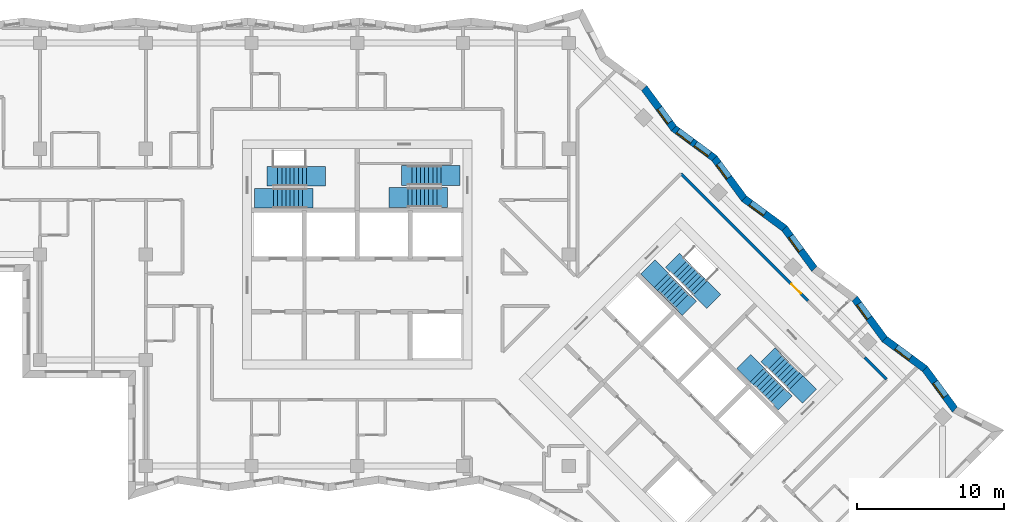
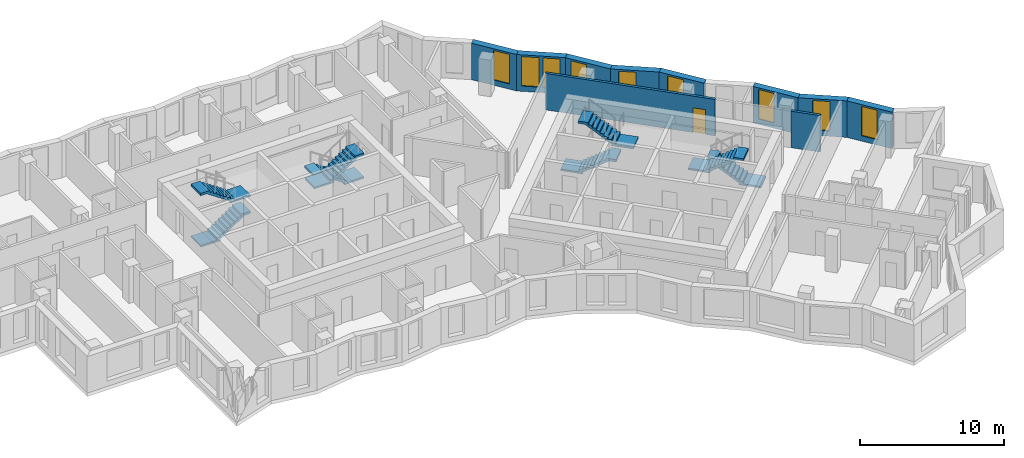
# One storey, part 10 of 12: 10 walls, 9 windows, 8 stair flights, 1 door, 10 openings, 4 elements without a shape of their own.
"""IFC4 building model written with IfcOpenShell, lengths in metres."""

from ifc_helpers import new_model, si_unit, direction, frame, frame_2d, origin, place, context, subcontext, project, spatial, polyline, rectangle, outline, extrude, material, layer, layer_set, type_object, element, fill, aggregate, save


model = new_model("IFC4")

# Units and contexts
model_context = context("Model", 3, precision=1e-05, world=origin(), true_north=direction((0.0, 1.0)))
body_context = subcontext(model_context, "Body", "Model", "MODEL_VIEW")
ifc_project = project(units=[si_unit("LENGTHUNIT", "METRE"), si_unit("AREAUNIT", "SQUARE_METRE"), si_unit("VOLUMEUNIT", "CUBIC_METRE"), si_unit("PLANEANGLEUNIT", "RADIAN"), si_unit("MASSUNIT", "GRAM", prefix="KILO")], contexts=[model_context])

# Site, building, storey
site_placement = place(None, origin())
site = spatial("IfcSite", under=ifc_project, at=site_placement, CompositionType="ELEMENT")
building_placement = place(site_placement, origin())
building = spatial("IfcBuilding", under=site, at=building_placement, Name="Windrow Commons", CompositionType="ELEMENT")
storey_placement = place(building_placement, frame((0.0, 0.0, 159.2)))
storey = spatial("IfcBuildingStorey", under=building, at=storey_placement, Name="L43", CompositionType="ELEMENT", Elevation=159.2)

# Wall, opening, window
ifc_material_1 = material(Name="Brick masonry, red clay brick", Category="masonry")
ifc_layer_1 = layer(ifc_material_1, 0.5)
ifc_layer_set_1 = layer_set([ifc_layer_1], Name="Brick facade wall 500")
wall_type_1 = type_object("IfcWallType", Name="Brick facade wall 500", PredefinedType="SOLIDWALL", material=ifc_layer_set_1)
wall_1_placement = place(storey_placement, frame((105.4942, 47.0407, 0.0), z_axis=(0.0, 0.0, 1.0), x_axis=(-0.5932158949, 0.8050434162, 0.0)))
wall_1 = element("IfcWall", 1, at=wall_1_placement, inside=storey, type_object=wall_type_1, Name="Brick facade wall L43 8", PredefinedType="SOLIDWALL", context=body_context, shape_type="SweptSolid", body=[
    extrude(outline(polyline([(0.0596, -0.25), (3.478, -0.25), (3.4022, 0.25), (-0.0596, 0.25), (0.0596, -0.25)])), origin(), (0.0, 0.0, 1.0), 3.1),
])
opening_1_placement = place(wall_1_placement, frame((1.1011, 0.0, 0.45)))
opening_1 = element("IfcOpeningElement", 2, at=opening_1_placement, cuts=wall_1, Name="Opening W7E", PredefinedType="OPENING", context=body_context, shape_type="SweptSolid", body=[
    extrude(rectangle(XDim=1.2, YDim=2.5, at=frame_2d((0.6, 1.25))), frame((0.0, 0.26, 0.0), z_axis=(0.0, -1.0, 0.0), x_axis=(1.0, 0.0, 0.0)), (0.0, 0.0, 1.0), 0.52),
])
ifc_material_2 = material(Name="Clear float glass in anodised aluminium frame", Category="aluminium")
window_type = type_object("IfcWindowType", Name="Window W7 notch 1200x2500", PartitioningType="SINGLE_PANEL", PredefinedType="WINDOW", material=ifc_material_2)
window_1_placement = place(opening_1_placement, origin())
window_1 = element("IfcWindow", 3, at=window_1_placement, inside=storey, type_object=window_type, Name="Window L43 8.1", OverallHeight=2.5, OverallWidth=1.2, PartitioningType="SINGLE_PANEL", PredefinedType="WINDOW", context=body_context, shape_type="SweptSolid", body=[
    extrude(rectangle(XDim=1.2, YDim=2.5, at=frame_2d((0.6, 1.25))), frame((0.0, 0.18, 0.0), z_axis=(0.0, -1.0, 0.0), x_axis=(1.0, 0.0, 0.0)), (0.0, 0.0, 1.0), 0.06),
])
fill(opening_1, window_1)

wall_2_placement = place(storey_placement, frame((103.4535, 49.8101, 0.0), z_axis=(0.0, 0.0, 1.0), x_axis=(-0.8050440725, 0.5932150043, 0.0)))
wall_2 = element("IfcWall", 4, at=wall_2_placement, inside=storey, type_object=wall_type_1, Name="Brick facade wall L43 9", PredefinedType="SOLIDWALL", context=body_context, shape_type="SweptSolid", body=[
    extrude(outline(polyline([(-0.0379, -0.25), (3.3805, -0.25), (3.4562, 0.25), (0.0379, 0.25), (-0.0379, -0.25)])), origin(), (0.0, 0.0, 1.0), 3.1),
])
opening_2_placement = place(wall_2_placement, frame((1.2319, 0.0, 0.45)))
opening_2 = element("IfcOpeningElement", 5, at=opening_2_placement, cuts=wall_2, Name="Opening W7E", PredefinedType="OPENING", context=body_context, shape_type="SweptSolid", body=[
    extrude(rectangle(XDim=1.2, YDim=2.5, at=frame_2d((0.6, 1.25))), frame((0.0, 0.26, 0.0), z_axis=(0.0, -1.0, 0.0), x_axis=(1.0, 0.0, 0.0)), (0.0, 0.0, 1.0), 0.52),
])
window_2_placement = place(opening_2_placement, origin())
window_2 = element("IfcWindow", 6, at=window_2_placement, inside=storey, type_object=window_type, Name="Window L43 9.1", OverallHeight=2.5, OverallWidth=1.2, PartitioningType="SINGLE_PANEL", PredefinedType="WINDOW", context=body_context, shape_type="SweptSolid", body=[
    extrude(rectangle(XDim=1.2, YDim=2.5, at=frame_2d((0.6, 1.25))), frame((0.0, 0.18, 0.0), z_axis=(0.0, -1.0, 0.0), x_axis=(1.0, 0.0, 0.0)), (0.0, 0.0, 1.0), 0.06),
])
fill(opening_2, window_2)

wall_3_placement = place(storey_placement, frame((100.7016, 51.8379, 0.0), z_axis=(0.0, 0.0, 1.0), x_axis=(-0.5932199928, 0.8050403966, 0.0)))
wall_3 = element("IfcWall", 7, at=wall_3_placement, inside=storey, type_object=wall_type_1, Name="Brick facade wall L43 10", PredefinedType="SOLIDWALL", context=body_context, shape_type="SweptSolid", body=[
    extrude(outline(polyline([(0.0379, -0.25), (3.4562, -0.25), (3.3805, 0.25), (-0.0379, 0.25), (0.0379, -0.25)])), origin(), (0.0, 0.0, 1.0), 3.1),
])
opening_3_placement = place(wall_3_placement, frame((1.7743, 0.0, 0.45)))
opening_3 = element("IfcOpeningElement", 8, at=opening_3_placement, cuts=wall_3, Name="Opening W7E", PredefinedType="OPENING", context=body_context, shape_type="SweptSolid", body=[
    extrude(rectangle(XDim=1.2, YDim=2.5, at=frame_2d((0.6, 1.25))), frame((0.0, 0.26, 0.0), z_axis=(0.0, -1.0, 0.0), x_axis=(1.0, 0.0, 0.0)), (0.0, 0.0, 1.0), 0.52),
])
window_3_placement = place(opening_3_placement, origin())
window_3 = element("IfcWindow", 9, at=window_3_placement, inside=storey, type_object=window_type, Name="Window L43 10.1", OverallHeight=2.5, OverallWidth=1.2, PartitioningType="SINGLE_PANEL", PredefinedType="WINDOW", context=body_context, shape_type="SweptSolid", body=[
    extrude(rectangle(XDim=1.2, YDim=2.5, at=frame_2d((0.6, 1.25))), frame((0.0, 0.18, 0.0), z_axis=(0.0, -1.0, 0.0), x_axis=(1.0, 0.0, 0.0)), (0.0, 0.0, 1.0), 0.06),
])
fill(opening_3, window_3)

wall_4_placement = place(storey_placement, frame((95.9218, 56.6177, 0.0), z_axis=(0.0, 0.0, 1.0), x_axis=(-0.5932150043, 0.8050440725, 0.0)))
wall_4 = element("IfcWall", 10, at=wall_4_placement, inside=storey, type_object=wall_type_1, Name="Brick facade wall L43 12", PredefinedType="SOLIDWALL", context=body_context, shape_type="SweptSolid", body=[
    extrude(outline(polyline([(0.0379, -0.25), (3.4562, -0.25), (3.3805, 0.25), (-0.0379, 0.25), (0.0379, -0.25)])), origin(), (0.0, 0.0, 1.0), 3.1),
])
opening_4_placement = place(wall_4_placement, frame((1.547, 0.0, 0.45)))
opening_4 = element("IfcOpeningElement", 11, at=opening_4_placement, cuts=wall_4, Name="Opening W7E", PredefinedType="OPENING", context=body_context, shape_type="SweptSolid", body=[
    extrude(rectangle(XDim=1.2, YDim=2.5, at=frame_2d((0.6, 1.25))), frame((0.0, 0.26, 0.0), z_axis=(0.0, -1.0, 0.0), x_axis=(1.0, 0.0, 0.0)), (0.0, 0.0, 1.0), 0.52),
])
window_4_placement = place(opening_4_placement, origin())
window_4 = element("IfcWindow", 12, at=window_4_placement, inside=storey, type_object=window_type, Name="Window L43 12.1", OverallHeight=2.5, OverallWidth=1.2, PartitioningType="SINGLE_PANEL", PredefinedType="WINDOW", context=body_context, shape_type="SweptSolid", body=[
    extrude(rectangle(XDim=1.2, YDim=2.5, at=frame_2d((0.6, 1.25))), frame((0.0, 0.18, 0.0), z_axis=(0.0, -1.0, 0.0), x_axis=(1.0, 0.0, 0.0)), (0.0, 0.0, 1.0), 0.06),
])
fill(opening_4, window_4)

wall_5_placement = place(storey_placement, frame((93.894, 59.3696, 0.0), z_axis=(0.0, 0.0, 1.0), x_axis=(-0.8050403966, 0.5932199928, 0.0)))
wall_5 = element("IfcWall", 13, at=wall_5_placement, inside=storey, type_object=wall_type_1, Name="Brick facade wall L43 13", PredefinedType="SOLIDWALL", context=body_context, shape_type="SweptSolid", body=[
    extrude(outline(polyline([(-0.0379, -0.25), (3.3805, -0.25), (3.4562, 0.25), (0.0379, 0.25), (-0.0379, -0.25)])), origin(), (0.0, 0.0, 1.0), 3.1),
])
opening_5_placement = place(wall_5_placement, frame((1.6773, 0.0, 0.45)))
opening_5 = element("IfcOpeningElement", 14, at=opening_5_placement, cuts=wall_5, Name="Opening W7E", PredefinedType="OPENING", context=body_context, shape_type="SweptSolid", body=[
    extrude(rectangle(XDim=1.2, YDim=2.5, at=frame_2d((0.6, 1.25))), frame((0.0, 0.26, 0.0), z_axis=(0.0, -1.0, 0.0), x_axis=(1.0, 0.0, 0.0)), (0.0, 0.0, 1.0), 0.52),
])
window_5_placement = place(opening_5_placement, origin())
window_5 = element("IfcWindow", 15, at=window_5_placement, inside=storey, type_object=window_type, Name="Window L43 13.1", OverallHeight=2.5, OverallWidth=1.2, PartitioningType="SINGLE_PANEL", PredefinedType="WINDOW", context=body_context, shape_type="SweptSolid", body=[
    extrude(rectangle(XDim=1.2, YDim=2.5, at=frame_2d((0.6, 1.25))), frame((0.0, 0.18, 0.0), z_axis=(0.0, -1.0, 0.0), x_axis=(1.0, 0.0, 0.0)), (0.0, 0.0, 1.0), 0.06),
])
fill(opening_5, window_5)

wall_6_placement = place(storey_placement, frame((91.142, 61.3975, 0.0), z_axis=(0.0, 0.0, 1.0), x_axis=(-0.5932150043, 0.8050440725, 0.0)))
wall_6 = element("IfcWall", 16, at=wall_6_placement, inside=storey, type_object=wall_type_1, Name="Brick facade wall L43 14", PredefinedType="SOLIDWALL", context=body_context, shape_type="SweptSolid", body=[
    extrude(outline(polyline([(0.0379, -0.25), (3.4562, -0.25), (3.3805, 0.25), (-0.0379, 0.25), (0.0379, -0.25)])), origin(), (0.0, 0.0, 1.0), 3.1),
])
opening_6_placement = place(wall_6_placement, frame((1.7697, 0.0, 0.45)))
opening_6 = element("IfcOpeningElement", 17, at=opening_6_placement, cuts=wall_6, Name="Opening W7E", PredefinedType="OPENING", context=body_context, shape_type="SweptSolid", body=[
    extrude(rectangle(XDim=1.2, YDim=2.5, at=frame_2d((0.6, 1.25))), frame((0.0, 0.26, 0.0), z_axis=(0.0, -1.0, 0.0), x_axis=(1.0, 0.0, 0.0)), (0.0, 0.0, 1.0), 0.52),
])
window_6_placement = place(opening_6_placement, origin())
window_6 = element("IfcWindow", 18, at=window_6_placement, inside=storey, type_object=window_type, Name="Window L43 14.1", OverallHeight=2.5, OverallWidth=1.2, PartitioningType="SINGLE_PANEL", PredefinedType="WINDOW", context=body_context, shape_type="SweptSolid", body=[
    extrude(rectangle(XDim=1.2, YDim=2.5, at=frame_2d((0.6, 1.25))), frame((0.0, 0.18, 0.0), z_axis=(0.0, -1.0, 0.0), x_axis=(1.0, 0.0, 0.0)), (0.0, 0.0, 1.0), 0.06),
])
fill(opening_6, window_6)

# Wall, openings, windows
wall_7_placement = place(storey_placement, frame((89.1142, 64.1494, 0.0), z_axis=(0.0, 0.0, 1.0), x_axis=(-0.8050301018, 0.5932339633, 0.0)))
wall_7 = element("IfcWall", 19, at=wall_7_placement, inside=storey, type_object=wall_type_1, Name="Brick facade wall L43 15", PredefinedType="SOLIDWALL", context=body_context, shape_type="SweptSolid", body=[
    extrude(outline(polyline([(-0.0379, -0.25), (3.3805, -0.25), (3.4562, 0.25), (0.0379, 0.25), (-0.0379, -0.25)])), origin(), (0.0, 0.0, 1.0), 3.1),
])
opening_7_placement = place(wall_7_placement, frame((0.4098, 0.0, 0.45)))
opening_7 = element("IfcOpeningElement", 20, at=opening_7_placement, cuts=wall_7, Name="Opening W7E", PredefinedType="OPENING", context=body_context, shape_type="SweptSolid", body=[
    extrude(rectangle(XDim=1.2, YDim=2.5, at=frame_2d((0.6, 1.25))), frame((0.0, 0.26, 0.0), z_axis=(0.0, -1.0, 0.0), x_axis=(1.0, 0.0, 0.0)), (0.0, 0.0, 1.0), 0.52),
])
opening_8_placement = place(wall_7_placement, frame((1.9, 0.0, 0.45)))
opening_8 = element("IfcOpeningElement", 21, at=opening_8_placement, cuts=wall_7, Name="Opening W7E", PredefinedType="OPENING", context=body_context, shape_type="SweptSolid", body=[
    extrude(rectangle(XDim=1.2, YDim=2.5, at=frame_2d((0.6, 1.25))), frame((0.0, 0.26, 0.0), z_axis=(0.0, -1.0, 0.0), x_axis=(1.0, 0.0, 0.0)), (0.0, 0.0, 1.0), 0.52),
])
window_7_placement = place(opening_7_placement, origin())
window_7 = element("IfcWindow", 22, at=window_7_placement, inside=storey, type_object=window_type, Name="Window L43 15.1", OverallHeight=2.5, OverallWidth=1.2, PartitioningType="SINGLE_PANEL", PredefinedType="WINDOW", context=body_context, shape_type="SweptSolid", body=[
    extrude(rectangle(XDim=1.2, YDim=2.5, at=frame_2d((0.6, 1.25))), frame((0.0, 0.18, 0.0), z_axis=(0.0, -1.0, 0.0), x_axis=(1.0, 0.0, 0.0)), (0.0, 0.0, 1.0), 0.06),
])
fill(opening_7, window_7)
window_8_placement = place(opening_8_placement, origin())
window_8 = element("IfcWindow", 23, at=window_8_placement, inside=storey, type_object=window_type, Name="Window L43 15.2", OverallHeight=2.5, OverallWidth=1.2, PartitioningType="SINGLE_PANEL", PredefinedType="WINDOW", context=body_context, shape_type="SweptSolid", body=[
    extrude(rectangle(XDim=1.2, YDim=2.5, at=frame_2d((0.6, 1.25))), frame((0.0, 0.18, 0.0), z_axis=(0.0, -1.0, 0.0), x_axis=(1.0, 0.0, 0.0)), (0.0, 0.0, 1.0), 0.06),
])
fill(opening_8, window_8)

# Wall, opening, window
wall_8_placement = place(storey_placement, frame((86.3623, 66.1773, 0.0), z_axis=(0.0, 0.0, 1.0), x_axis=(-0.5932339633, 0.8050301018, 0.0)))
wall_8 = element("IfcWall", 24, at=wall_8_placement, inside=storey, type_object=wall_type_1, Name="Brick facade wall L43 16", PredefinedType="SOLIDWALL", context=body_context, shape_type="SweptSolid", body=[
    extrude(outline(polyline([(0.0379, -0.25), (3.4562, -0.25), (3.3805, 0.25), (-0.0379, 0.25), (0.0379, -0.25)])), origin(), (0.0, 0.0, 1.0), 3.1),
])
opening_9_placement = place(wall_8_placement, frame((0.5022, 0.0, 0.45)))
opening_9 = element("IfcOpeningElement", 25, at=opening_9_placement, cuts=wall_8, Name="Opening W7E", PredefinedType="OPENING", context=body_context, shape_type="SweptSolid", body=[
    extrude(rectangle(XDim=1.2, YDim=2.5, at=frame_2d((0.6, 1.25))), frame((0.0, 0.26, 0.0), z_axis=(0.0, -1.0, 0.0), x_axis=(1.0, 0.0, 0.0)), (0.0, 0.0, 1.0), 0.52),
])
window_9_placement = place(opening_9_placement, origin())
window_9 = element("IfcWindow", 26, at=window_9_placement, inside=storey, type_object=window_type, Name="Window L43 16.1", OverallHeight=2.5, OverallWidth=1.2, PartitioningType="SINGLE_PANEL", PredefinedType="WINDOW", context=body_context, shape_type="SweptSolid", body=[
    extrude(rectangle(XDim=1.2, YDim=2.5, at=frame_2d((0.6, 1.25))), frame((0.0, 0.18, 0.0), z_axis=(0.0, -1.0, 0.0), x_axis=(1.0, 0.0, 0.0)), (0.0, 0.0, 1.0), 0.06),
])
fill(opening_9, window_9)

# Wall, opening, door
ifc_material_3 = material(Name="Blockwork partition", Category="masonry")
ifc_layer_2 = layer(ifc_material_3, 0.2)
ifc_layer_set_2 = layer_set([ifc_layer_2], Name="IW-CORRIDOR-200")
wall_type_2 = type_object("IfcWallType", Name="IW-CORRIDOR-200", PredefinedType="PARTITIONING", material=ifc_layer_set_2)
wall_9_placement = place(storey_placement, frame((86.8415, 63.0935, 0.0), z_axis=(0.0, 0.0, 1.0), x_axis=(0.7071067812, -0.7071067812, 0.0)))
wall_9 = element("IfcWall", 27, at=wall_9_placement, inside=storey, type_object=wall_type_2, Name="W-L43-W006", PredefinedType="PARTITIONING", context=body_context, shape_type="SweptSolid", body=[
    extrude(rectangle(XDim=12.2386, YDim=0.2, at=frame_2d((6.1193, 0.0))), origin(), (0.0, 0.0, 1.0), 3.1),
])
opening_10_placement = place(wall_9_placement, frame((10.6338, 0.0, 0.0)))
opening_10 = element("IfcOpeningElement", 28, at=opening_10_placement, cuts=wall_9, Name="Opening D109F", PredefinedType="OPENING", context=body_context, shape_type="SweptSolid", body=[
    extrude(rectangle(XDim=0.9, YDim=2.1, at=frame_2d((0.45, 1.05))), frame((0.0, 0.11, 0.0), z_axis=(0.0, -1.0, 0.0), x_axis=(1.0, 0.0, 0.0)), (0.0, 0.0, 1.0), 0.22),
])
ifc_material_4 = material(Name="Timber door leaf", Category="wood")
door_type = type_object("IfcDoorType", Name="DT-BEDROOM-900", OperationType="SINGLE_SWING_LEFT", PredefinedType="DOOR", material=ifc_material_4)
door_placement = place(opening_10_placement, origin())
door = element("IfcDoor", 29, at=door_placement, inside=storey, type_object=door_type, Name="D-L43-D044", OperationType="SINGLE_SWING_LEFT", OverallHeight=2.1, OverallWidth=0.9, PredefinedType="DOOR", context=body_context, shape_type="SweptSolid", body=[
    extrude(rectangle(XDim=0.9, YDim=2.1, at=frame_2d((0.45, 1.05))), frame((0.0, 0.025, 0.0), z_axis=(0.0, -1.0, 0.0), x_axis=(1.0, 0.0, 0.0)), (0.0, 0.0, 1.0), 0.05),
])
fill(opening_10, door)

# Wall
wall_10_placement = place(storey_placement, frame((99.3517, 50.5737, 0.0), z_axis=(0.0, 0.0, 1.0), x_axis=(0.7075827869, -0.7066304548, 0.0)))
element("IfcWall", 30, at=wall_10_placement, inside=storey, type_object=wall_type_2, Name="W-L43-W112", PredefinedType="PARTITIONING", context=body_context, shape_type="SweptSolid", body=[
    extrude(rectangle(XDim=2.1001, YDim=0.2, at=frame_2d((1.05, 0.0))), origin(), (0.0, 0.0, 1.0), 3.1),
])

# Stair, stair flights
ifc_material_5 = material(Name="Concrete C40/50", Category="concrete")
stair_type = type_object("IfcStairType", Name="Core stair", PredefinedType="HALF_TURN_STAIR", material=ifc_material_5)
placement = place(storey_placement, origin())
stair_1 = element("IfcStair", 31, at=placement, inside=storey, type_object=stair_type, Name="L43 Exit stair A1 core A", PredefinedType="HALF_TURN_STAIR")
ifc_material_6 = material(Name="Concrete C40/50", Category="concrete")
stair_flight_type = type_object("IfcStairFlightType", Name="Core stair flight", PredefinedType="STRAIGHT", material=ifc_material_6)
stair_flight_1_placement = place(storey_placement, frame((59.1, 61.425, 0.0), z_axis=(0.0, 0.0, 1.0), x_axis=(1.0, 0.0, 0.0)))
stair_flight_1 = element("IfcStairFlight", 32, at=stair_flight_1_placement, type_object=stair_flight_type, Name="ST-A1 flight 1", NumberOfRisers=9, NumberOfTreads=8, PredefinedType="STRAIGHT", RiserHeight=0.188888889, TreadLength=0.28, context=body_context, shape_type="SweptSolid", body=[
    extrude(outline(polyline([(-1.3, -0.15), (-1.3, 0.0), (0.0, 0.0), (0.0, 0.1889), (0.28, 0.1889), (0.28, 0.3778), (0.56, 0.3778), (0.56, 0.5667), (0.84, 0.5667), (0.84, 0.7556), (1.12, 0.7556), (1.12, 0.9444), (1.4, 0.9444), (1.4, 1.1333), (1.68, 1.1333), (1.68, 1.3222), (1.96, 1.3222), (1.96, 1.5111), (2.24, 1.5111), (2.69, 1.5111), (2.69, 1.3111), (2.24, 1.3111), (2.24, 1.3302), (0.2682, 0.0), (0.2682, -0.15), (-1.3, -0.15)])), frame((0.0, 0.675, 0.0), z_axis=(0.0, -1.0, 0.0), x_axis=(1.0, 0.0, 0.0)), (0.0, 0.0, 1.0), 1.35),
])
stair_flight_2_placement = place(storey_placement, frame((61.34, 62.925, 1.7), z_axis=(0.0, 0.0, 1.0), x_axis=(-1.0, 0.0, 0.0)))
stair_flight_2 = element("IfcStairFlight", 33, at=stair_flight_2_placement, type_object=stair_flight_type, Name="ST-A1 flight 2", NumberOfRisers=9, NumberOfTreads=8, PredefinedType="STRAIGHT", RiserHeight=0.188888889, TreadLength=0.28, context=body_context, shape_type="SweptSolid", body=[
    extrude(outline(polyline([(-1.3, -0.15), (-1.3, 0.0), (0.0, 0.0), (0.0, 0.1889), (0.28, 0.1889), (0.28, 0.3778), (0.56, 0.3778), (0.56, 0.5667), (0.84, 0.5667), (0.84, 0.7556), (1.12, 0.7556), (1.12, 0.9444), (1.4, 0.9444), (1.4, 1.1333), (1.68, 1.1333), (1.68, 1.3222), (1.96, 1.3222), (1.96, 1.5111), (2.24, 1.5111), (2.69, 1.5111), (2.69, 1.3111), (2.24, 1.3111), (2.24, 1.3302), (0.2682, 0.0), (0.2682, -0.15), (-1.3, -0.15)])), frame((0.0, 0.675, 0.0), z_axis=(0.0, -1.0, 0.0), x_axis=(1.0, 0.0, 0.0)), (0.0, 0.0, 1.0), 1.35),
])
aggregate(stair_1, [stair_flight_1, stair_flight_2])

stair_2 = element("IfcStair", 34, at=placement, inside=storey, type_object=stair_type, Name="L43 Exit stair A2 core A", PredefinedType="HALF_TURN_STAIR")
stair_flight_3_placement = place(storey_placement, frame((70.5, 62.98, 0.0), z_axis=(0.0, 0.0, 1.0), x_axis=(-1.0, 0.0, 0.0)))
stair_flight_3 = element("IfcStairFlight", 35, at=stair_flight_3_placement, type_object=stair_flight_type, Name="ST-A2 flight 1", NumberOfRisers=9, NumberOfTreads=8, PredefinedType="STRAIGHT", RiserHeight=0.188888889, TreadLength=0.28, context=body_context, shape_type="SweptSolid", body=[
    extrude(outline(polyline([(-1.3, -0.15), (-1.3, 0.0), (0.0, 0.0), (0.0, 0.1889), (0.28, 0.1889), (0.28, 0.3778), (0.56, 0.3778), (0.56, 0.5667), (0.84, 0.5667), (0.84, 0.7556), (1.12, 0.7556), (1.12, 0.9444), (1.4, 0.9444), (1.4, 1.1333), (1.68, 1.1333), (1.68, 1.3222), (1.96, 1.3222), (1.96, 1.5111), (2.24, 1.5111), (2.69, 1.5111), (2.69, 1.3111), (2.24, 1.3111), (2.24, 1.3302), (0.2682, 0.0), (0.2682, -0.15), (-1.3, -0.15)])), frame((0.0, 0.675, 0.0), z_axis=(0.0, -1.0, 0.0), x_axis=(1.0, 0.0, 0.0)), (0.0, 0.0, 1.0), 1.35),
])
stair_flight_4_placement = place(storey_placement, frame((68.26, 61.48, 1.7), z_axis=(0.0, 0.0, 1.0), x_axis=(1.0, 0.0, 0.0)))
stair_flight_4 = element("IfcStairFlight", 36, at=stair_flight_4_placement, type_object=stair_flight_type, Name="ST-A2 flight 2", NumberOfRisers=9, NumberOfTreads=8, PredefinedType="STRAIGHT", RiserHeight=0.188888889, TreadLength=0.28, context=body_context, shape_type="SweptSolid", body=[
    extrude(outline(polyline([(-1.3, -0.15), (-1.3, 0.0), (0.0, 0.0), (0.0, 0.1889), (0.28, 0.1889), (0.28, 0.3778), (0.56, 0.3778), (0.56, 0.5667), (0.84, 0.5667), (0.84, 0.7556), (1.12, 0.7556), (1.12, 0.9444), (1.4, 0.9444), (1.4, 1.1333), (1.68, 1.1333), (1.68, 1.3222), (1.96, 1.3222), (1.96, 1.5111), (2.24, 1.5111), (2.69, 1.5111), (2.69, 1.3111), (2.24, 1.3111), (2.24, 1.3302), (0.2682, 0.0), (0.2682, -0.15), (-1.3, -0.15)])), frame((0.0, 0.675, 0.0), z_axis=(0.0, -1.0, 0.0), x_axis=(1.0, 0.0, 0.0)), (0.0, 0.0, 1.0), 1.35),
])
aggregate(stair_2, [stair_flight_3, stair_flight_4])

stair_3 = element("IfcStair", 37, at=placement, inside=storey, type_object=stair_type, Name="L43 Exit stair B1 core B", PredefinedType="HALF_TURN_STAIR")
stair_flight_5_placement = place(storey_placement, frame((85.5109, 55.8249, 0.0), z_axis=(0.0, 0.0, 1.0), x_axis=(0.7071067812, -0.7071067812, 0.0)))
stair_flight_5 = element("IfcStairFlight", 38, at=stair_flight_5_placement, type_object=stair_flight_type, Name="ST-B1 flight 1", NumberOfRisers=9, NumberOfTreads=8, PredefinedType="STRAIGHT", RiserHeight=0.188888889, TreadLength=0.28, context=body_context, shape_type="SweptSolid", body=[
    extrude(outline(polyline([(-1.3, -0.15), (-1.3, 0.0), (0.0, 0.0), (0.0, 0.1889), (0.28, 0.1889), (0.28, 0.3778), (0.56, 0.3778), (0.56, 0.5667), (0.84, 0.5667), (0.84, 0.7556), (1.12, 0.7556), (1.12, 0.9444), (1.4, 0.9444), (1.4, 1.1333), (1.68, 1.1333), (1.68, 1.3222), (1.96, 1.3222), (1.96, 1.5111), (2.24, 1.5111), (2.69, 1.5111), (2.69, 1.3111), (2.24, 1.3111), (2.24, 1.3302), (0.2682, 0.0), (0.2682, -0.15), (-1.3, -0.15)])), frame((0.0, 0.675, 0.0), z_axis=(0.0, -1.0, 0.0), x_axis=(1.0, 0.0, 0.0)), (0.0, 0.0, 1.0), 1.35),
])
stair_flight_6_placement = place(storey_placement, frame((88.1555, 55.3017, 1.7), z_axis=(0.0, 0.0, 1.0), x_axis=(-0.7071067812, 0.7071067812, 0.0)))
stair_flight_6 = element("IfcStairFlight", 39, at=stair_flight_6_placement, type_object=stair_flight_type, Name="ST-B1 flight 2", NumberOfRisers=9, NumberOfTreads=8, PredefinedType="STRAIGHT", RiserHeight=0.188888889, TreadLength=0.28, context=body_context, shape_type="SweptSolid", body=[
    extrude(outline(polyline([(-1.3, -0.15), (-1.3, 0.0), (0.0, 0.0), (0.0, 0.1889), (0.28, 0.1889), (0.28, 0.3778), (0.56, 0.3778), (0.56, 0.5667), (0.84, 0.5667), (0.84, 0.7556), (1.12, 0.7556), (1.12, 0.9444), (1.4, 0.9444), (1.4, 1.1333), (1.68, 1.1333), (1.68, 1.3222), (1.96, 1.3222), (1.96, 1.5111), (2.24, 1.5111), (2.69, 1.5111), (2.69, 1.3111), (2.24, 1.3111), (2.24, 1.3302), (0.2682, 0.0), (0.2682, -0.15), (-1.3, -0.15)])), frame((0.0, 0.675, 0.0), z_axis=(0.0, -1.0, 0.0), x_axis=(1.0, 0.0, 0.0)), (0.0, 0.0, 1.0), 1.35),
])
aggregate(stair_3, [stair_flight_5, stair_flight_6])

stair_4 = element("IfcStair", 40, at=placement, inside=storey, type_object=stair_type, Name="L43 Exit stair B2 core B", PredefinedType="HALF_TURN_STAIR")
stair_flight_7_placement = place(storey_placement, frame((94.6715, 48.8635, 0.0), z_axis=(0.0, 0.0, 1.0), x_axis=(-0.7071067812, 0.7071067812, 0.0)))
stair_flight_7 = element("IfcStairFlight", 41, at=stair_flight_7_placement, type_object=stair_flight_type, Name="ST-B2 flight 1", NumberOfRisers=9, NumberOfTreads=8, PredefinedType="STRAIGHT", RiserHeight=0.188888889, TreadLength=0.28, context=body_context, shape_type="SweptSolid", body=[
    extrude(outline(polyline([(-1.3, -0.15), (-1.3, 0.0), (0.0, 0.0), (0.0, 0.1889), (0.28, 0.1889), (0.28, 0.3778), (0.56, 0.3778), (0.56, 0.5667), (0.84, 0.5667), (0.84, 0.7556), (1.12, 0.7556), (1.12, 0.9444), (1.4, 0.9444), (1.4, 1.1333), (1.68, 1.1333), (1.68, 1.3222), (1.96, 1.3222), (1.96, 1.5111), (2.24, 1.5111), (2.69, 1.5111), (2.69, 1.3111), (2.24, 1.3111), (2.24, 1.3302), (0.2682, 0.0), (0.2682, -0.15), (-1.3, -0.15)])), frame((0.0, 0.675, 0.0), z_axis=(0.0, -1.0, 0.0), x_axis=(1.0, 0.0, 0.0)), (0.0, 0.0, 1.0), 1.35),
])
stair_flight_8_placement = place(storey_placement, frame((92.0269, 49.3867, 1.7), z_axis=(0.0, 0.0, 1.0), x_axis=(0.7071067812, -0.7071067812, 0.0)))
stair_flight_8 = element("IfcStairFlight", 42, at=stair_flight_8_placement, type_object=stair_flight_type, Name="ST-B2 flight 2", NumberOfRisers=9, NumberOfTreads=8, PredefinedType="STRAIGHT", RiserHeight=0.188888889, TreadLength=0.28, context=body_context, shape_type="SweptSolid", body=[
    extrude(outline(polyline([(-1.3, -0.15), (-1.3, 0.0), (0.0, 0.0), (0.0, 0.1889), (0.28, 0.1889), (0.28, 0.3778), (0.56, 0.3778), (0.56, 0.5667), (0.84, 0.5667), (0.84, 0.7556), (1.12, 0.7556), (1.12, 0.9444), (1.4, 0.9444), (1.4, 1.1333), (1.68, 1.1333), (1.68, 1.3222), (1.96, 1.3222), (1.96, 1.5111), (2.24, 1.5111), (2.69, 1.5111), (2.69, 1.3111), (2.24, 1.3111), (2.24, 1.3302), (0.2682, 0.0), (0.2682, -0.15), (-1.3, -0.15)])), frame((0.0, 0.675, 0.0), z_axis=(0.0, -1.0, 0.0), x_axis=(1.0, 0.0, 0.0)), (0.0, 0.0, 1.0), 1.35),
])
aggregate(stair_4, [stair_flight_7, stair_flight_8])

save(model, "model.ifc")
